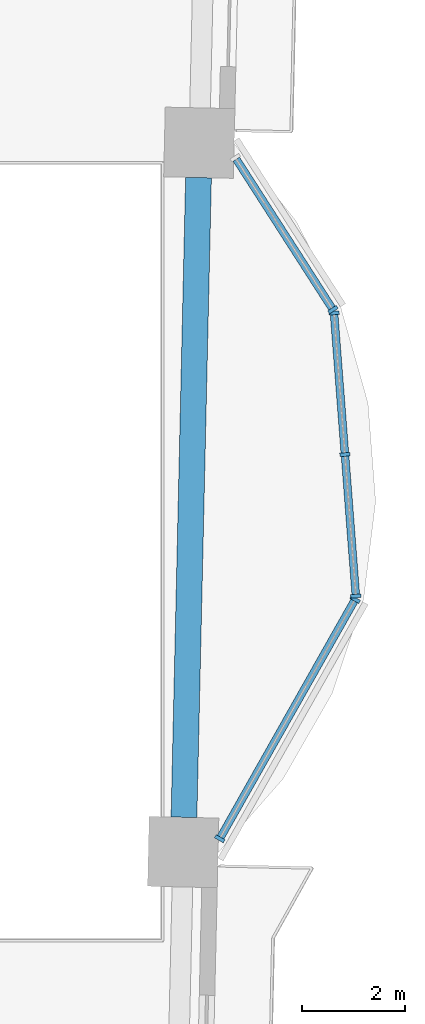
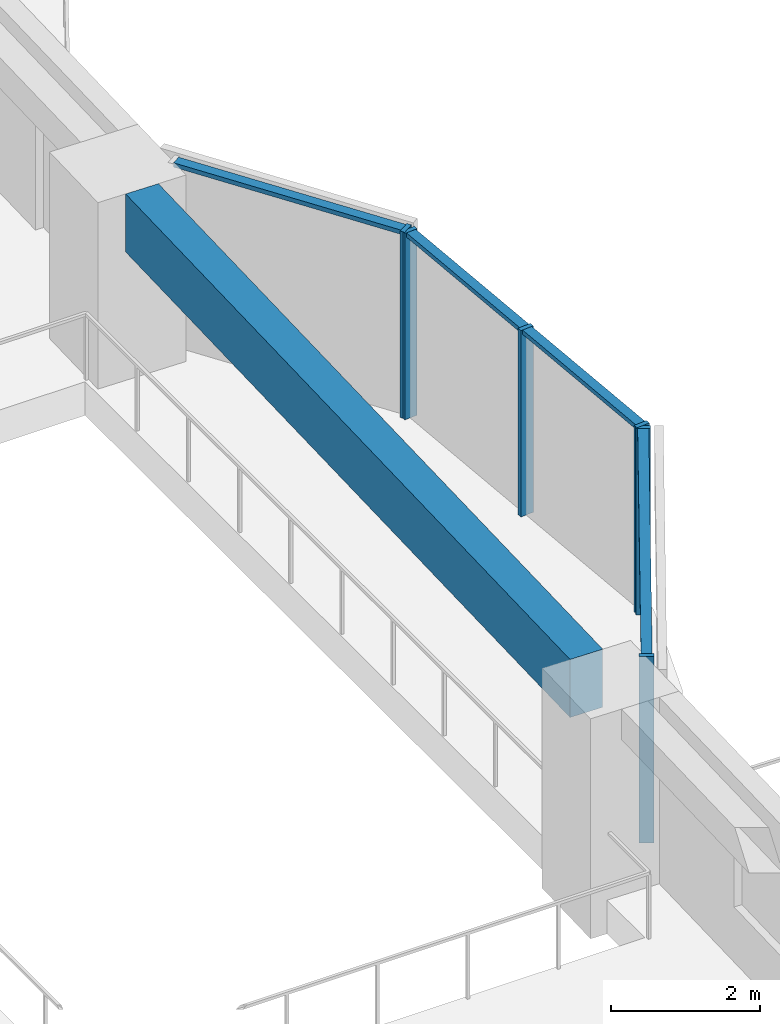
# One storey, part 2 of 16: 10 members, 1 beam, 3 elements without a shape of their own.
"""IFC4 building model written with IfcOpenShell, lengths in metres."""

from ifc_helpers import new_model, si_unit, direction, frame, origin, origin_2d, place, context, subcontext, project, spatial, rectangle, extrude, material, material_profile, profile_set, type_object, element, aggregate, save


model = new_model("IFC4")

# Units and contexts
model_context = context("Model", 3, precision=1e-05, world=origin(), true_north=direction((0.0, 1.0)))
body_context = subcontext(model_context, "Body", "Model", "MODEL_VIEW")
ifc_project = project(units=[si_unit("LENGTHUNIT", "METRE"), si_unit("AREAUNIT", "SQUARE_METRE"), si_unit("VOLUMEUNIT", "CUBIC_METRE"), si_unit("PLANEANGLEUNIT", "RADIAN"), si_unit("MASSUNIT", "GRAM", prefix="KILO")], contexts=[model_context])

# Site, building, storey
site_placement = place(None, origin())
site = spatial("IfcSite", under=ifc_project, at=site_placement, CompositionType="ELEMENT")
building_placement = place(site_placement, origin())
building = spatial("IfcBuilding", under=site, at=building_placement, Name="Mangrove Gate Tower", CompositionType="ELEMENT")
storey_placement = place(building_placement, frame((0.0, 0.0, 116.300048828125)))
storey = spatial("IfcBuildingStorey", under=building, at=storey_placement, Name="L29", CompositionType="ELEMENT", Elevation=116.300048828125)

# Curtain wall, members
ifc_material_1 = material(Name="Aluminium and glass curtain wall", Category="aluminium")
curtain_wall_type = type_object("IfcCurtainWallType", Name="Atrium garden-court glazing wall", PredefinedType="NOTDEFINED", material=ifc_material_1)
curtain_wall_1_placement = place(storey_placement, origin())
curtain_wall_1 = element("IfcCurtainWall", 1, at=curtain_wall_1_placement, inside=storey, type_object=curtain_wall_type, Name="Atrium garden-court glazing E1f1", PredefinedType="NOTDEFINED")
ifc_material_2 = material(Name="Aluminium alloy 6063-T6", Category="aluminium")
ifc_material_profile_1 = material_profile(ifc_material_2, rectangle(XDim=0.070068359375, YDim=0.199951171875, at=origin_2d()))
ifc_profile_set_1 = profile_set([ifc_material_profile_1], Name="Aluminium alloy 6063-T6")
member_type_1 = type_object("IfcMemberType", Name="Atrium garden-court glazing mullion 70x200", PredefinedType="MULLION", material=ifc_profile_set_1)
member_1_placement = place(storey_placement, frame((25.373779296875, -5.563232421875, 0.0), z_axis=(0.0, 0.0, 1.0), x_axis=(0.492584614745, 0.870264555935, 0.0)))
member_1 = element("IfcMember", 2, at=member_1_placement, type_object=member_type_1, Name="CWA mullion 1", PredefinedType="MULLION", context=body_context, shape_type="SweptSolid", body=[
    extrude(rectangle(XDim=0.070068359375, YDim=0.199951171875, at=origin_2d()), origin(), (0.0, 0.0, 1.0), 3.050048828125),
])
member_2_placement = place(storey_placement, frame((27.998291015625, -0.92626953125, 0.0), z_axis=(0.0, 0.0, 1.0), x_axis=(0.492584614745, 0.870264555935, 0.0)))
member_2 = element("IfcMember", 3, at=member_2_placement, type_object=member_type_1, Name="CWA mullion 2", PredefinedType="MULLION", context=body_context, shape_type="SweptSolid", body=[
    extrude(rectangle(XDim=0.070068359375, YDim=0.199951171875, at=origin_2d()), origin(), (0.0, 0.0, 1.0), 3.050048828125),
])

curtain_wall_2_placement = place(storey_placement, origin())
curtain_wall_2 = element("IfcCurtainWall", 4, at=curtain_wall_2_placement, inside=storey, type_object=curtain_wall_type, Name="Atrium garden-court glazing E1f2", PredefinedType="NOTDEFINED")
member_3_placement = place(storey_placement, frame((28.012939453125, -0.861083984375, 0.0), z_axis=(0.0, 0.0, 1.0), x_axis=(-0.077023348229, 0.997029289353, 0.0)))
member_3 = element("IfcMember", 5, at=member_3_placement, type_object=member_type_1, Name="CWA mullion 1", PredefinedType="MULLION", context=body_context, shape_type="SweptSolid", body=[
    extrude(rectangle(XDim=0.070068359375, YDim=0.199951171875, at=origin_2d()), origin(), (0.0, 0.0, 1.0), 3.050048828125),
])
member_4_placement = place(storey_placement, frame((27.801025390625, 1.882568359375, 0.0), z_axis=(0.0, 0.0, 1.0), x_axis=(-0.077023348229, 0.997029289353, 0.0)))
member_4 = element("IfcMember", 6, at=member_4_placement, type_object=member_type_1, Name="CWA mullion 2", PredefinedType="MULLION", context=body_context, shape_type="SweptSolid", body=[
    extrude(rectangle(XDim=0.070068359375, YDim=0.199951171875, at=origin_2d()), origin(), (0.0, 0.0, 1.0), 3.050048828125),
])
member_5_placement = place(storey_placement, frame((27.5888671875, 4.6259765625, 0.0), z_axis=(0.0, 0.0, 1.0), x_axis=(-0.077023348229, 0.997029289353, 0.0)))
member_5 = element("IfcMember", 7, at=member_5_placement, type_object=member_type_1, Name="CWA mullion 3", PredefinedType="MULLION", context=body_context, shape_type="SweptSolid", body=[
    extrude(rectangle(XDim=0.070068359375, YDim=0.199951171875, at=origin_2d()), origin(), (0.0, 0.0, 1.0), 3.050048828125),
])

# Curtain wall, member
curtain_wall_3_placement = place(storey_placement, origin())
curtain_wall_3 = element("IfcCurtainWall", 8, at=curtain_wall_3_placement, inside=storey, type_object=curtain_wall_type, Name="Atrium garden-court glazing E1f3", PredefinedType="NOTDEFINED")
member_6_placement = place(storey_placement, frame((27.5673828125, 4.6904296875, 0.0), z_axis=(0.0, 0.0, 1.0), x_axis=(-0.540510523896, 0.841337253162, 0.0)))
member_6 = element("IfcMember", 9, at=member_6_placement, type_object=member_type_1, Name="CWA mullion 1", PredefinedType="MULLION", context=body_context, shape_type="SweptSolid", body=[
    extrude(rectangle(XDim=0.070068359375, YDim=0.199951171875, at=origin_2d()), origin(), (0.0, 0.0, 1.0), 3.050048828125),
])

# Member
ifc_material_3 = material(Name="Aluminium alloy 6063-T6", Category="aluminium")
ifc_material_profile_2 = material_profile(ifc_material_3, rectangle(XDim=0.070068359375, YDim=0.14990234375, at=origin_2d()))
ifc_profile_set_2 = profile_set([ifc_material_profile_2], Name="Aluminium alloy 6063-T6")
member_type_2 = type_object("IfcMemberType", Name="Atrium garden-court glazing transom 70x150", PredefinedType="USERDEFINED", material=ifc_profile_set_2)
member_7_placement = place(storey_placement, frame((25.39111328125, -5.53271484375, 3.014892578125), z_axis=(0.492554428347, 0.870281641261, 0.0), x_axis=(0.0, 0.0, 1.0)))
member_7 = element("IfcMember", 10, at=member_7_placement, type_object=member_type_2, Name="CWA transom 1.2", ObjectType="TRANSOM", PredefinedType="USERDEFINED", context=body_context, shape_type="SweptSolid", body=[
    extrude(rectangle(XDim=0.070068359375, YDim=0.14990234375, at=origin_2d()), origin(), (0.0, 0.0, 1.0), 5.258056640625),
])

aggregate(curtain_wall_1, [member_1, member_2, member_7])

member_8_placement = place(storey_placement, frame((28.01025390625, -0.826171875, 3.014892578125), z_axis=(-0.07701672858, 0.997029800718, 0.0), x_axis=(0.0, 0.0, 1.0)))
member_8 = element("IfcMember", 11, at=member_8_placement, type_object=member_type_2, Name="CWA transom 1.2", ObjectType="TRANSOM", PredefinedType="USERDEFINED", context=body_context, shape_type="SweptSolid", body=[
    extrude(rectangle(XDim=0.070068359375, YDim=0.14990234375, at=origin_2d()), origin(), (0.0, 0.0, 1.0), 2.681884765625),
])

member_9_placement = place(storey_placement, frame((27.798095703125, 1.91748046875, 3.014892578125), z_axis=(-0.07701672858, 0.997029800718, 0.0), x_axis=(0.0, 0.0, 1.0)))
member_9 = element("IfcMember", 12, at=member_9_placement, type_object=member_type_2, Name="CWA transom 2.2", ObjectType="TRANSOM", PredefinedType="USERDEFINED", context=body_context, shape_type="SweptSolid", body=[
    extrude(rectangle(XDim=0.070068359375, YDim=0.14990234375, at=origin_2d()), origin(), (0.0, 0.0, 1.0), 2.681884765625),
])

aggregate(curtain_wall_2, [member_3, member_4, member_5, member_8, member_9])

member_10_placement = place(storey_placement, frame((27.54833984375, 4.719970703125, 3.014892578125), z_axis=(-0.540487632005, 0.841351959438, 0.0), x_axis=(0.0, 0.0, 1.0)))
member_10 = element("IfcMember", 13, at=member_10_placement, type_object=member_type_2, Name="CWA transom 1.2", ObjectType="TRANSOM", PredefinedType="USERDEFINED", context=body_context, shape_type="SweptSolid", body=[
    extrude(rectangle(XDim=0.070068359375, YDim=0.14990234375, at=origin_2d()), origin(), (0.0, 0.0, 1.0), 3.428466796875),
])

aggregate(curtain_wall_3, [member_6, member_10])

# Beam
ifc_material_4 = material(Name="Concrete C50/60", Category="concrete")
ifc_material_profile_3 = material_profile(ifc_material_4, rectangle(XDim=0.5, YDim=0.949951171875, at=origin_2d()))
ifc_profile_set_3 = profile_set([ifc_material_profile_3], Name="Concrete C50/60")
beam_type = type_object("IfcBeamType", Name="Edge beam RC 500x950 C50/60", PredefinedType="BEAM", material=ifc_profile_set_3)
beam_placement = place(storey_placement, frame((24.681396484375, -5.14794921875, 2.574951171875), z_axis=(0.022699938925, 0.999742323188, 0.0), x_axis=(-0.999742323188, 0.022699938925, 0.0)))
element("IfcBeam", 14, at=beam_placement, inside=storey, type_object=beam_type, Name="Edge beam L29 15", PredefinedType="BEAM", context=body_context, shape_type="SweptSolid", body=[
    extrude(rectangle(XDim=0.5, YDim=0.949951171875, at=origin_2d()), origin(), (0.0, 0.0, 1.0), 12.400634765625),
])

save(model, "model.ifc")
